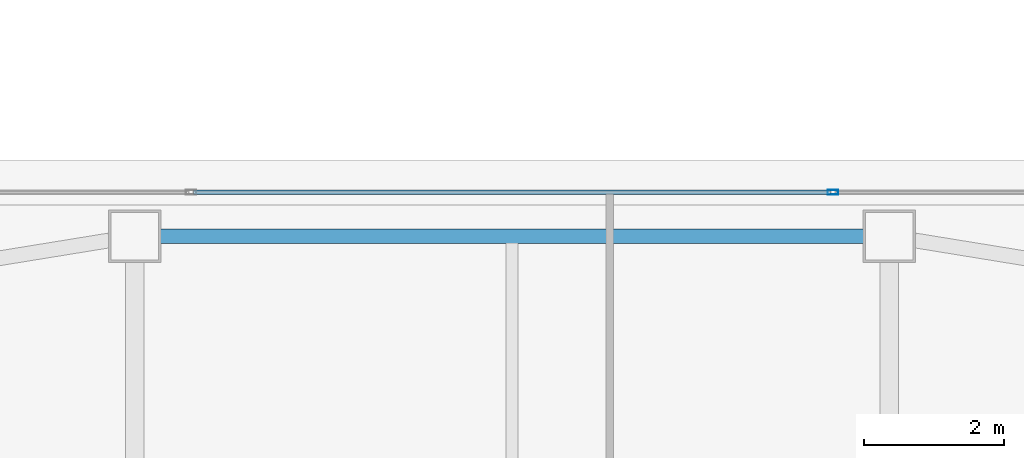
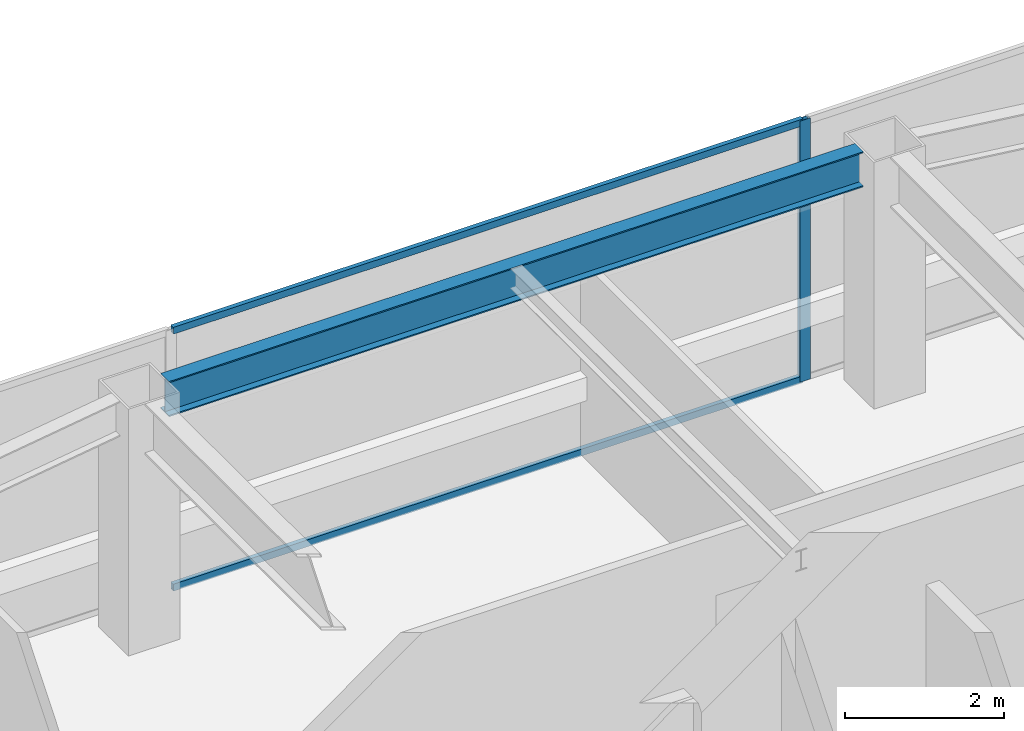
# One storey, part 17 of 51: 3 members, 1 beam, 1 element without a shape of its own.
"""IFC4 building model written with IfcOpenShell, lengths in metres."""

from ifc_helpers import new_model, si_unit, direction, frame, origin, origin_2d, place, context, subcontext, project, spatial, hollow_rectangle, i_section, extrude, material, material_profile, profile_set, type_object, element, aggregate, save


model = new_model("IFC4")

# Units and contexts
model_context = context("Model", 3, precision=1e-05, world=origin(), true_north=direction((0.0, 1.0)))
body_context = subcontext(model_context, "Body", "Model", "MODEL_VIEW")
ifc_project = project(units=[si_unit("LENGTHUNIT", "METRE"), si_unit("AREAUNIT", "SQUARE_METRE"), si_unit("VOLUMEUNIT", "CUBIC_METRE"), si_unit("PLANEANGLEUNIT", "RADIAN"), si_unit("MASSUNIT", "GRAM", prefix="KILO")], contexts=[model_context])

# Site, building, storey
site_placement = place(None, origin())
site = spatial("IfcSite", under=ifc_project, at=site_placement, CompositionType="ELEMENT")
building_placement = place(site_placement, origin())
building = spatial("IfcBuilding", under=site, at=building_placement, Name="Tashvorn Skyway Center", CompositionType="ELEMENT")
storey_placement = place(building_placement, frame((0.0, 0.0, 251.39990234375)))
storey = spatial("IfcBuildingStorey", under=building, at=storey_placement, Name="L68", CompositionType="ELEMENT", Elevation=251.39990234375)

# Beam
ifc_material_1 = material(Name="Steel ASTM A992 Grade 50", Category="steel")
ifc_material_profile_1 = material_profile(ifc_material_1, i_section(OverallWidth=0.2109375, OverallDepth=0.5390625, WebThickness=0.01171875, FlangeThickness=0.018798828125, at=origin_2d()), Name="W21X73")
ifc_profile_set_1 = profile_set([ifc_material_profile_1], Name="Steel ASTM A992 Grade 50")
beam_type = type_object("IfcBeamType", Name="BM-SPANDREL-W21X73", PredefinedType="SPANDREL", material=ifc_profile_set_1)
beam_placement = place(storey_placement, frame((47.030029296875, 47.050048828125, 3.510498046875), z_axis=(-1.0, 0.0, 0.0), x_axis=(0.0, -1.0, 0.0)))
element("IfcBeam", 1, at=beam_placement, inside=storey, type_object=beam_type, Name="Tower 1 L68 Spandrel Beam 08", PredefinedType="SPANDREL", context=body_context, shape_type="SweptSolid", body=[
    extrude(i_section(OverallWidth=0.2109375, OverallDepth=0.5390625, WebThickness=0.01171875, FlangeThickness=0.018798828125, at=origin_2d()), origin(), (0.0, 0.0, 1.0), 10.06005859375),
])

# Curtain wall, members
ifc_material_2 = material(Name="Thermally broken bronze-anodized aluminium 6063-T6", Category="aluminium")
curtain_wall_type = type_object("IfcCurtainWallType", Name="CW-CW-SKY", PredefinedType="NOTDEFINED", material=ifc_material_2)
curtain_wall_placement = place(storey_placement, origin())
curtain_wall = element("IfcCurtainWall", 2, at=curtain_wall_placement, inside=storey, type_object=curtain_wall_type, Name="Tower 1 L68 North Unitised Curtain Wall", PredefinedType="NOTDEFINED")
ifc_material_profile_2 = material_profile(ifc_material_2, hollow_rectangle(XDim=0.06494140625, YDim=0.14990234375, WallThickness=0.00390625, at=origin_2d()), Name="ALU-MULL-65x150")
ifc_profile_set_2 = profile_set([ifc_material_profile_2], Name="Thermally broken bronze-anodized aluminium 6063-T6")
member_type_1 = type_object("IfcMemberType", Name="CWM-CW-SKY", PredefinedType="MULLION", material=ifc_profile_set_2)
member_1_placement = place(storey_placement, frame((46.59326171875, 47.679931640625, 0.0), z_axis=(0.0, 0.0, 1.0), x_axis=(0.0, 1.0, 0.0)))
member_1 = element("IfcMember", 3, at=member_1_placement, type_object=member_type_1, Name="CW-SKY mullion 3", PredefinedType="MULLION", context=body_context, shape_type="SweptSolid", body=[
    extrude(hollow_rectangle(XDim=0.06494140625, YDim=0.14990234375, WallThickness=0.00390625, at=origin_2d()), origin(), (0.0, 0.0, 1.0), 4.0),
])
ifc_material_profile_3 = material_profile(ifc_material_2, hollow_rectangle(XDim=0.06494140625, YDim=0.10498046875, WallThickness=0.00390625, at=origin_2d()), Name="ALU-TRAN-65x105")
ifc_profile_set_3 = profile_set([ifc_material_profile_3], Name="Thermally broken bronze-anodized aluminium 6063-T6")
member_type_2 = type_object("IfcMemberType", Name="CWT-CW-SKY", PredefinedType="USERDEFINED", material=ifc_profile_set_3)
member_2_placement = place(storey_placement, frame((37.439208984375, 47.679931640625, 0.03271484375), z_axis=(1.0, 0.0, 0.0), x_axis=(0.0, 1.0, 0.0)))
member_2 = element("IfcMember", 4, at=member_2_placement, type_object=member_type_2, Name="CW-SKY transom 2.1", ObjectType="TRANSOM", PredefinedType="USERDEFINED", context=body_context, shape_type="SweptSolid", body=[
    extrude(hollow_rectangle(XDim=0.06494140625, YDim=0.10498046875, WallThickness=0.00390625, at=origin_2d()), origin(), (0.0, 0.0, 1.0), 9.12158203125),
])
member_3_placement = place(storey_placement, frame((37.439208984375, 47.679931640625, 3.967529296875), z_axis=(1.0, 0.0, 0.0), x_axis=(0.0, 1.0, 0.0)))
member_3 = element("IfcMember", 5, at=member_3_placement, type_object=member_type_2, Name="CW-SKY transom 2.2", ObjectType="TRANSOM", PredefinedType="USERDEFINED", context=body_context, shape_type="SweptSolid", body=[
    extrude(hollow_rectangle(XDim=0.06494140625, YDim=0.10498046875, WallThickness=0.00390625, at=origin_2d()), origin(), (0.0, 0.0, 1.0), 9.12158203125),
])
aggregate(curtain_wall, [member_1, member_2, member_3])

save(model, "model.ifc")
